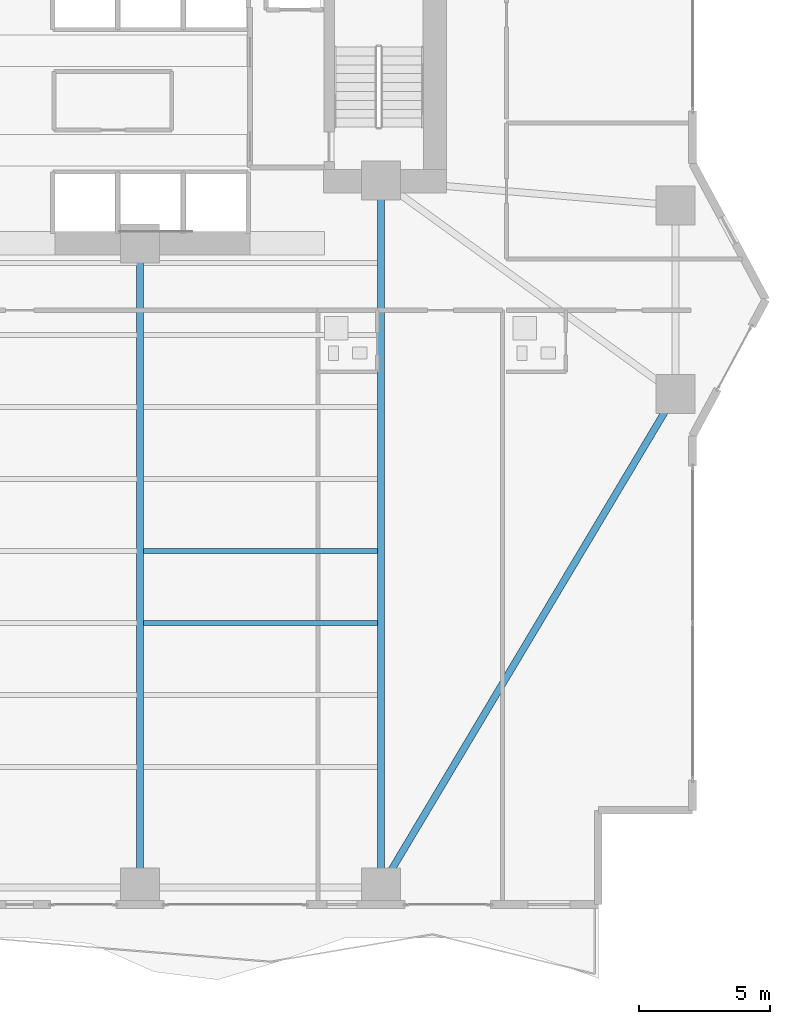
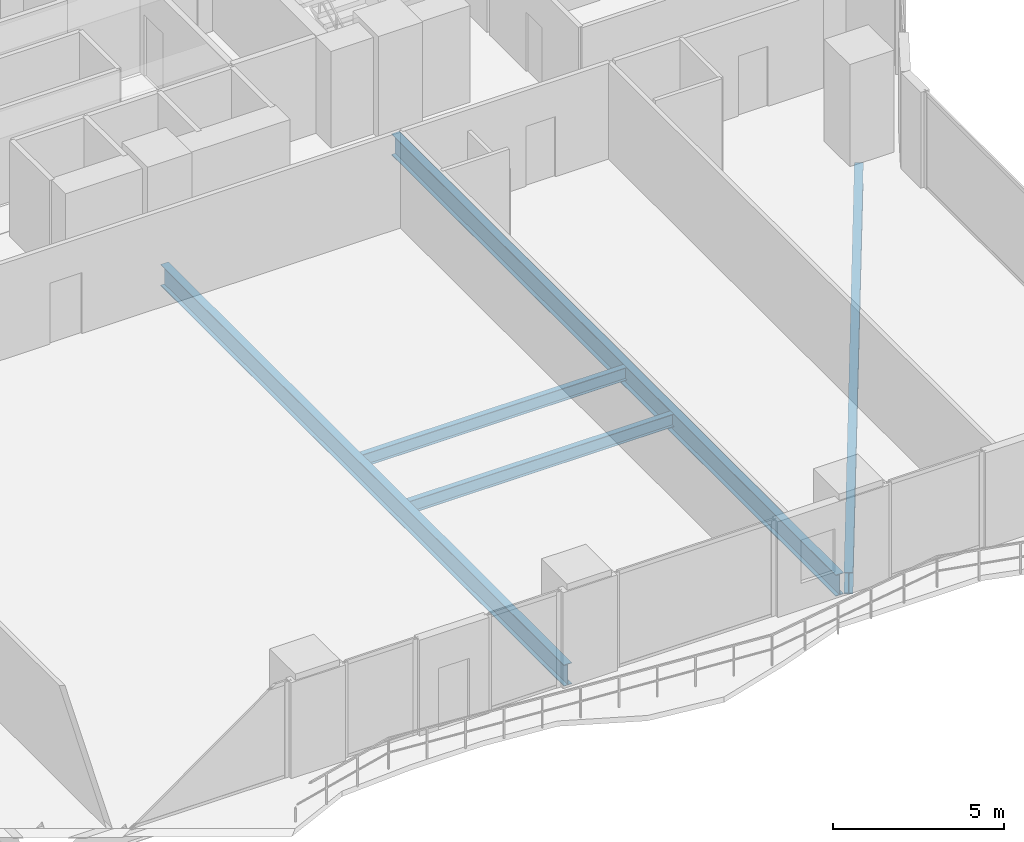
# One storey, part 9 of 28: 5 beams.
"""IFC4 building model written with IfcOpenShell, lengths in metres."""

from ifc_helpers import new_model, si_unit, direction, frame, origin, origin_2d, place, context, subcontext, project, spatial, i_section, extrude, material, material_profile, profile_set, type_object, element, save


model = new_model("IFC4")

# Units and contexts
model_context = context("Model", 3, precision=1e-05, world=origin(), true_north=direction((0.0, 1.0)))
body_context = subcontext(model_context, "Body", "Model", "MODEL_VIEW")
ifc_project = project(units=[si_unit("LENGTHUNIT", "METRE"), si_unit("AREAUNIT", "SQUARE_METRE"), si_unit("VOLUMEUNIT", "CUBIC_METRE"), si_unit("PLANEANGLEUNIT", "RADIAN"), si_unit("MASSUNIT", "GRAM", prefix="KILO")], contexts=[model_context])

# Site, building, storey
site_placement = place(None, origin())
site = spatial("IfcSite", under=ifc_project, at=site_placement, CompositionType="ELEMENT")
building_placement = place(site_placement, origin())
building = spatial("IfcBuilding", under=site, at=building_placement, Name="Zuhayl Quay Hotel", CompositionType="ELEMENT")
storey_placement = place(building_placement, frame((0.0, 0.0, 78.699951171875)))
storey = spatial("IfcBuildingStorey", under=building, at=storey_placement, Name="L19", CompositionType="ELEMENT", Elevation=78.699951171875)

# Beams
ifc_material = material(Name="Steel ASTM A992 Grade 50", Category="steel")
ifc_material_profile_1 = material_profile(ifc_material, i_section(OverallWidth=0.26708984375, OverallDepth=0.761962890625, WebThickness=0.014404296875, FlangeThickness=0.021484375, at=origin_2d()), Name="W30X116")
ifc_profile_set_1 = profile_set([ifc_material_profile_1], Name="Steel ASTM A992 Grade 50")
beam_type_1 = type_object("IfcBeamType", Name="BM_B1_W30X116", PredefinedType="BEAM", material=ifc_profile_set_1)
beam_1_placement = place(storey_placement, frame((14.05615234375, -22.020751953125, -0.600830078125), z_axis=(0.512482593247, 0.85869761361, 0.0), x_axis=(-0.85869761361, 0.512482593247, 0.0)))
element("IfcBeam", 1, at=beam_1_placement, inside=storey, type_object=beam_type_1, Name="L19 Floor Beam RG_L19_04", PredefinedType="BEAM", context=body_context, shape_type="SweptSolid", body=[
    extrude(i_section(OverallWidth=0.26708984375, OverallDepth=0.761962890625, WebThickness=0.014404296875, FlangeThickness=0.021484375, at=origin_2d()), origin(), (0.0, 0.0, 1.0), 20.9521484375),
])
beam_2_placement = place(storey_placement, frame((4.60009765625, -21.949951171875, -0.600830078125), z_axis=(0.0, 1.0, 0.0), x_axis=(-1.0, 0.0, 0.0)))
element("IfcBeam", 2, at=beam_2_placement, inside=storey, type_object=beam_type_1, Name="L19 Floor Beam FG_S_L19_3", PredefinedType="BEAM", context=body_context, shape_type="SweptSolid", body=[
    extrude(i_section(OverallWidth=0.26708984375, OverallDepth=0.761962890625, WebThickness=0.014404296875, FlangeThickness=0.021484375, at=origin_2d()), origin(), (0.0, 0.0, 1.0), 23.64990234375),
])
beam_3_placement = place(storey_placement, frame((13.800048828125, -21.949951171875, -0.600830078125), z_axis=(0.0, 1.0, 0.0), x_axis=(-1.0, 0.0, 0.0)))
element("IfcBeam", 3, at=beam_3_placement, inside=storey, type_object=beam_type_1, Name="L19 Floor Beam FG_S_L19_4", PredefinedType="BEAM", context=body_context, shape_type="SweptSolid", body=[
    extrude(i_section(OverallWidth=0.26708984375, OverallDepth=0.761962890625, WebThickness=0.014404296875, FlangeThickness=0.021484375, at=origin_2d()), origin(), (0.0, 0.0, 1.0), 26.050048828125),
])
ifc_material_profile_2 = material_profile(ifc_material, i_section(OverallWidth=0.18994140625, OverallDepth=0.45703125, WebThickness=0.009033203125, FlangeThickness=0.014404296875, at=origin_2d()), Name="W18X50")
ifc_profile_set_2 = profile_set([ifc_material_profile_2], Name="Steel ASTM A992 Grade 50")
beam_type_2 = type_object("IfcBeamType", Name="BM_J2_W18X50", PredefinedType="JOIST", material=ifc_profile_set_2)
for number, where, z_axis, x_axis, name in (
    (4, (4.7255859375, -12.35009765625, -0.448486328125), (1.0, 0.0, 0.0), (0.0, 1.0, 0.0), "L19 Floor Beam FJ_L19_5_3"),
    (5, (4.7255859375, -9.60009765625, -0.448486328125), (1.0, 0.0, 0.0), (0.0, 1.0, 0.0), "L19 Floor Beam FJ_L19_6_3"),
):
    element("IfcBeam", number, at=place(storey_placement, frame(where, z_axis=z_axis, x_axis=x_axis)), inside=storey, type_object=beam_type_2, Name=name, PredefinedType="JOIST", context=body_context, shape_type="SweptSolid", body=[
        extrude(i_section(OverallWidth=0.18994140625, OverallDepth=0.45703125, WebThickness=0.009033203125, FlangeThickness=0.014404296875, at=origin_2d()), origin(), (0.0, 0.0, 1.0), 8.948974609375),
    ])

save(model, "model.ifc")
